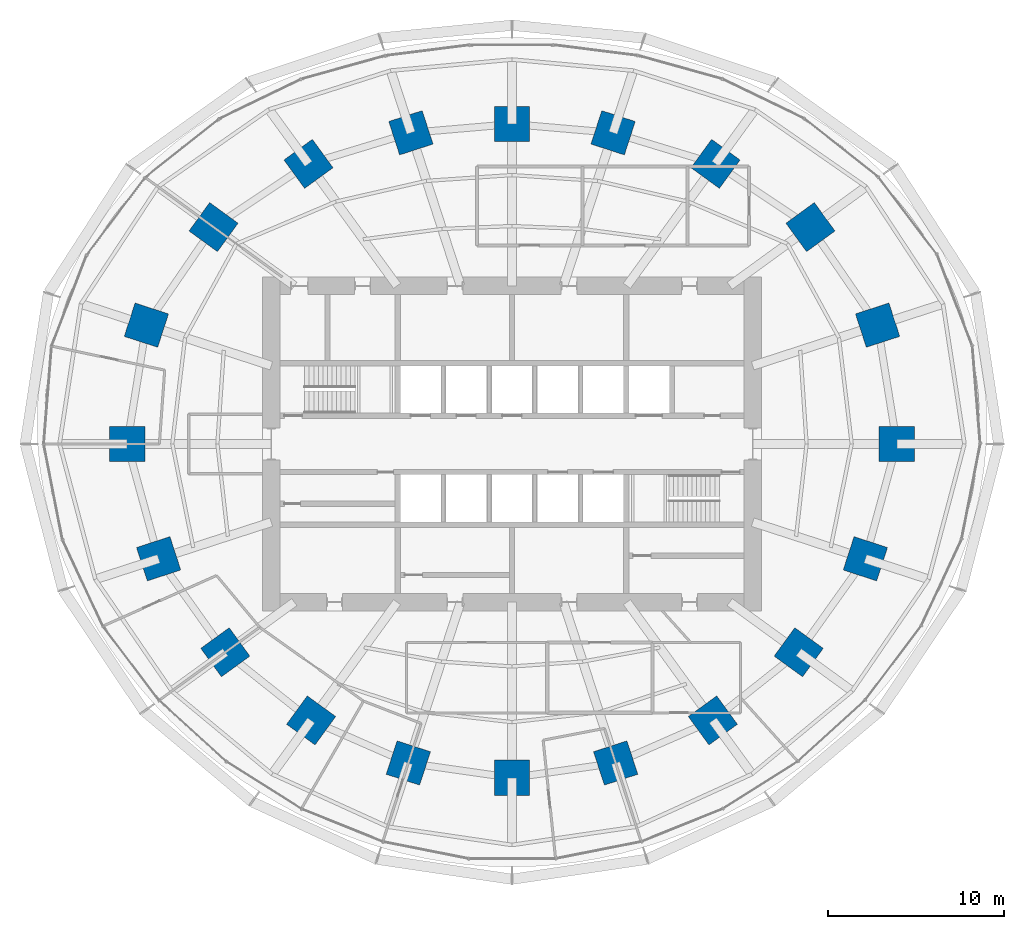
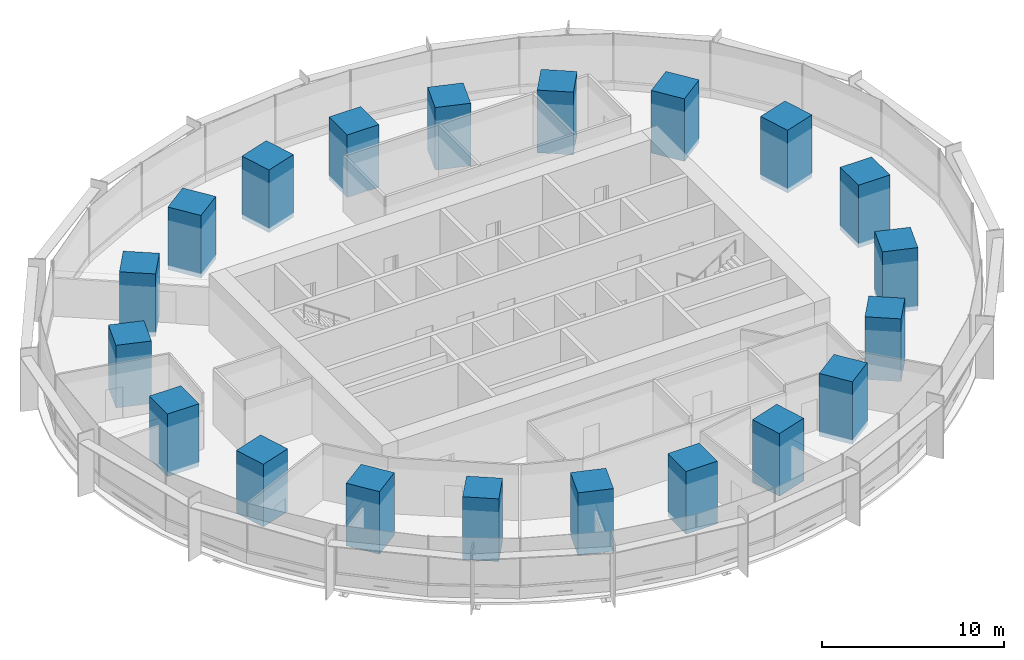
# One storey, part 1 of 15: 20 columns.
"""IFC4 building model written with IfcOpenShell, lengths in metres."""

from ifc_helpers import new_model, si_unit, direction, frame, origin, origin_2d, place, context, subcontext, project, spatial, rectangle, extrude, material, material_profile, profile_set, type_object, element, save


model = new_model("IFC4")

# Units and contexts
model_context = context("Model", 3, precision=1e-05, world=origin(), true_north=direction((0.0, 1.0)))
body_context = subcontext(model_context, "Body", "Model", "MODEL_VIEW")
ifc_project = project(units=[si_unit("LENGTHUNIT", "METRE"), si_unit("AREAUNIT", "SQUARE_METRE"), si_unit("VOLUMEUNIT", "CUBIC_METRE"), si_unit("PLANEANGLEUNIT", "RADIAN"), si_unit("MASSUNIT", "GRAM", prefix="KILO")], contexts=[model_context])

# Site, building, storey
site_placement = place(None, origin())
site = spatial("IfcSite", under=ifc_project, at=site_placement, CompositionType="ELEMENT")
building_placement = place(site_placement, origin())
building = spatial("IfcBuilding", under=site, at=building_placement, Name="Marramba Exchange Tower", CompositionType="ELEMENT")
storey_placement = place(building_placement, frame((0.0, 0.0, 57.39990234375)))
storey = spatial("IfcBuildingStorey", under=building, at=storey_placement, Name="L13", CompositionType="ELEMENT", Elevation=57.39990234375)

# Columns
ifc_material = material(Name="Concrete N50", Category="concrete")
ifc_material_profile = material_profile(ifc_material, rectangle(XDim=2.0, YDim=2.0, at=origin_2d()), Name="RC 2000x2000")
ifc_profile_set = profile_set([ifc_material_profile], Name="Concrete N50")
column_type = type_object("IfcColumnType", Name="Perimeter column RC 2000x2000 N50", PredefinedType="COLUMN", material=ifc_profile_set)
for number, where, z_axis, x_axis, name in (
    (1, (21.89990234375, 0.0, 0.0), (0.0, 0.0, 1.0), (1.0, 0.0, 0.0), "Column TC01 L13"),
    (2, (20.808349609375, 6.760986328125, 0.0), (0.0, 0.0, 1.0), (0.951056516295, 0.309016994375, 0.0), "Column TC02 L13"),
    (3, (16.98583984375, 12.3408203125, 0.0), (0.0, 0.0, 1.0), (0.809016994375, 0.587785252292, 0.0), "Column TC03 L13"),
    (4, (11.581298828125, 15.9404296875, 0.0), (0.0, 0.0, 1.0), (0.587785252292, 0.809016994375, 0.0), "Column TC04 L13"),
    (5, (5.75390625, 17.70849609375, 0.0), (0.0, 0.0, 1.0), (0.309016994375, 0.951056516295, 0.0), "Column TC05 L13"),
    (6, (0.0, 18.2041015625, 0.0), (0.0, 0.0, 1.0), (0.0, 1.0, 0.0), "Column TC06 L13"),
    (7, (-5.75390625, 17.70849609375, 0.0), (0.0, 0.0, 1.0), (-0.309016994375, 0.951056516295, 0.0), "Column TC07 L13"),
    (8, (-11.581298828125, 15.9404296875, 0.0), (0.0, 0.0, 1.0), (-0.587785252292, 0.809016994375, 0.0), "Column TC08 L13"),
    (9, (-16.98583984375, 12.3408203125, 0.0), (0.0, 0.0, 1.0), (-0.809016994375, 0.587785252292, 0.0), "Column TC09 L13"),
    (10, (-20.808349609375, 6.760986328125, 0.0), (0.0, 0.0, 1.0), (-0.951056516295, 0.309016994375, 0.0), "Column TC10 L13"),
    (11, (-21.89990234375, 0.0, 0.0), (0.0, 0.0, 1.0), (-1.0, 0.0, 0.0), "Column TC11 L13"),
    (12, (-20.109375, -6.533935546875, 0.0), (0.0, 0.0, 1.0), (-0.951056516295, -0.309016994375, 0.0), "Column TC12 L13"),
    (13, (-16.3154296875, -11.853759765625, 0.0), (0.0, 0.0, 1.0), (-0.809016994375, -0.587785252292, 0.0), "Column TC13 L13"),
    (14, (-11.430419921875, -15.732666015625, 0.0), (0.0, 0.0, 1.0), (-0.587785252292, -0.809016994375, 0.0), "Column TC14 L13"),
    (15, (-5.899658203125, -18.156982421875, 0.0), (0.0, 0.0, 1.0), (-0.309016994375, -0.951056516295, 0.0), "Column TC15 L13"),
    (16, (0.0, -18.99609375, 0.0), (0.0, 0.0, 1.0), (0.0, -1.0, 0.0), "Column TC16 L13"),
    (17, (5.899658203125, -18.156982421875, 0.0), (0.0, 0.0, 1.0), (0.309016994375, -0.951056516295, 0.0), "Column TC17 L13"),
    (18, (11.430419921875, -15.732666015625, 0.0), (0.0, 0.0, 1.0), (0.587785252292, -0.809016994375, 0.0), "Column TC18 L13"),
    (19, (16.3154296875, -11.853759765625, 0.0), (0.0, 0.0, 1.0), (0.809016994375, -0.587785252292, 0.0), "Column TC19 L13"),
    (20, (20.109375, -6.533935546875, 0.0), (0.0, 0.0, 1.0), (0.951056516295, -0.309016994375, 0.0), "Column TC20 L13"),
):
    element("IfcColumn", number, at=place(storey_placement, frame(where, z_axis=z_axis, x_axis=x_axis)), inside=storey, type_object=column_type, Name=name, PredefinedType="COLUMN", context=body_context, shape_type="SweptSolid", body=[
        extrude(rectangle(XDim=2.0, YDim=2.0, at=origin_2d()), origin(), (0.0, 0.0, 1.0), 4.2001953125),
    ])

save(model, "model.ifc")
